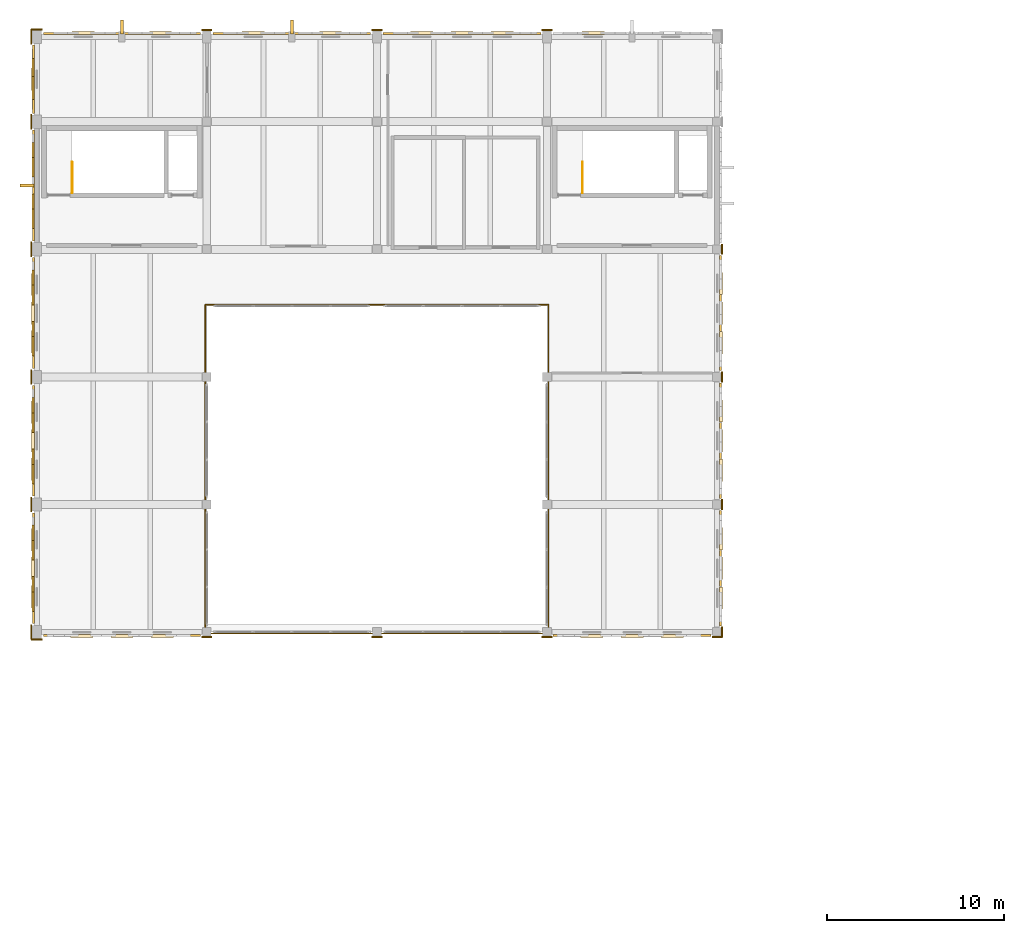
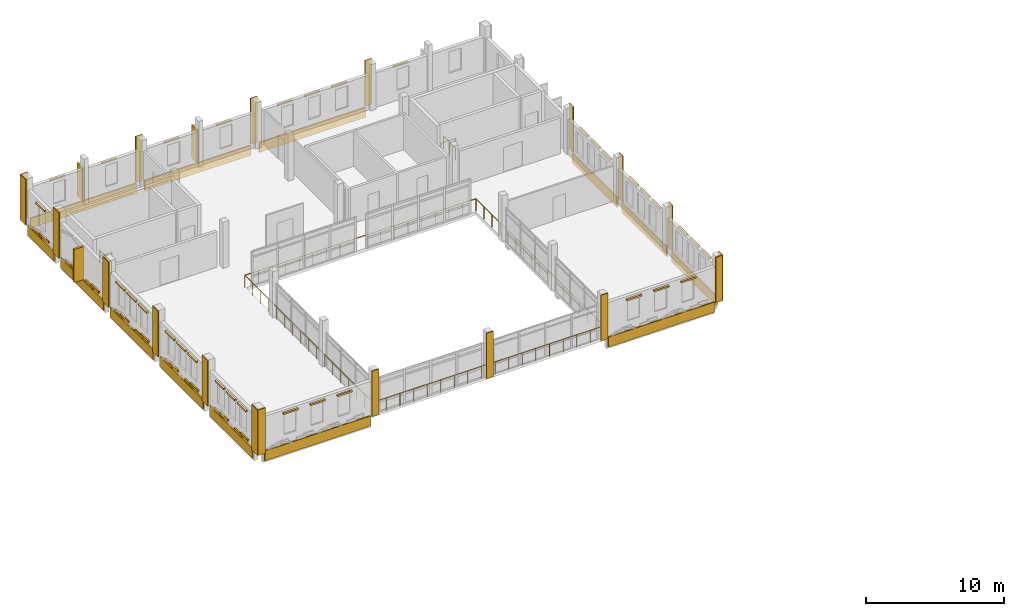
# One storey, part 21 of 24: 86 coverings, 4 railings.
"""IFC4 building model written with IfcOpenShell, lengths in metres."""

from ifc_helpers import new_model, si_unit, direction, frame, origin, origin_2d, place, context, subcontext, project, spatial, rectangle, circle, extrude, material, layer, layer_set, type_object, element, save


model = new_model("IFC4")

# Units and contexts
model_context = context("Model", 3, precision=1e-05, world=origin(), true_north=direction((0.0, 1.0)))
body_context = subcontext(model_context, "Body", "Model", "MODEL_VIEW")
ifc_project = project(units=[si_unit("LENGTHUNIT", "METRE"), si_unit("AREAUNIT", "SQUARE_METRE"), si_unit("VOLUMEUNIT", "CUBIC_METRE"), si_unit("PLANEANGLEUNIT", "RADIAN"), si_unit("MASSUNIT", "GRAM", prefix="KILO")], contexts=[model_context])

# Site, building, storey
site_placement = place(None, origin())
site = spatial("IfcSite", under=ifc_project, at=site_placement, CompositionType="ELEMENT")
building_placement = place(site_placement, origin())
building = spatial("IfcBuilding", under=site, at=building_placement, Name="Asteropetra Specialist Clinic", CompositionType="ELEMENT")
storey_placement = place(building_placement, frame((0.0, 0.0, 20.739990234375)))
storey = spatial("IfcBuildingStorey", under=building, at=storey_placement, Name="L05", CompositionType="ELEMENT", Elevation=20.739990234375)

# Coverings
ifc_material_1 = material(Name="Chevron ivory")
ifc_layer_1 = layer(ifc_material_1, 0.1201171875)
ifc_layer_set_1 = layer_set([ifc_layer_1], Name="Chevron ivory")
covering_type_1 = type_object("IfcCoveringType", Name="CLD-TER-IVORY", PredefinedType="CLADDING", material=ifc_layer_set_1)
for number, where, z_axis, x_axis, name in (
    (1, (4.8125, 76.614990234375, -0.800048828125), (0.0, 0.0, 1.0), (1.0, 0.0, 0.0), "Chevron Spandrel Band CV-1701"),
    (2, (4.8125, 110.5849609375, -0.800048828125), (0.0, 0.0, 1.0), (1.0, 0.0, 0.0), "Chevron Spandrel Band CV-1712"),
):
    element("IfcCovering", number, at=place(storey_placement, frame(where, z_axis=z_axis, x_axis=x_axis)), inside=storey, type_object=covering_type_1, Name=name, PredefinedType="CLADDING", context=body_context, shape_type="SweptSolid", body=[
        extrude(rectangle(XDim=8.875, YDim=0.1201171875, at=origin_2d()), origin(), (0.0, 0.0, 1.0), 0.8798828125),
    ])
for number, where, z_axis, x_axis, name in (
    (3, (14.39990234375, 110.5849609375, -0.800048828125), (0.0, 0.0, 1.0), (1.0, 0.0, 0.0), "Chevron Spandrel Band CV-1723"),
    (4, (24.0, 110.5849609375, -0.800048828125), (0.0, 0.0, 1.0), (1.0, 0.0, 0.0), "Chevron Spandrel Band CV-1735"),
    (5, (33.60009765625, 76.614990234375, -0.800048828125), (0.0, 0.0, 1.0), (1.0, 0.0, 0.0), "Chevron Spandrel Band CV-1747"),
):
    element("IfcCovering", number, at=place(storey_placement, frame(where, z_axis=z_axis, x_axis=x_axis)), inside=storey, type_object=covering_type_1, Name=name, PredefinedType="CLADDING", context=body_context, shape_type="SweptSolid", body=[
        extrude(rectangle(XDim=8.89990234375, YDim=0.1201171875, at=origin_2d()), origin(), (0.0, 0.0, 1.0), 0.8798828125),
    ])
covering_1_placement = place(storey_placement, frame((-0.18505859375, 80.39990234375, -0.800048828125), z_axis=(0.0, 0.0, 1.0), x_axis=(1.0, 0.0, 0.0)))
element("IfcCovering", 6, at=covering_1_placement, inside=storey, type_object=covering_type_1, Name="Chevron Spandrel Band CV-1770", PredefinedType="CLADDING", context=body_context, shape_type="SweptSolid", body=[
    extrude(rectangle(XDim=0.1201171875, YDim=6.25, at=origin_2d()), origin(), (0.0, 0.0, 1.0), 0.8798828125),
])
for number, where, z_axis, x_axis, name in (
    (7, (-0.199951171875, 82.2822265625, 0.1201171875), (0.0, 0.0, 1.0), (1.0, 0.0, 0.0), "Chevron Ceramic Band CV-1771"),
    (8, (-0.199951171875, 81.422607421875, 0.26025390625), (0.0, 0.0, 1.0), (1.0, 0.0, 0.0), "Chevron Ceramic Band CV-1772"),
    (9, (-0.199951171875, 79.377197265625, 0.1201171875), (0.0, 0.0, 1.0), (1.0, 0.0, 0.0), "Chevron Ceramic Band CV-1773"),
    (10, (-0.199951171875, 78.517578125, 0.26025390625), (0.0, 0.0, 1.0), (1.0, 0.0, 0.0), "Chevron Ceramic Band CV-1774"),
):
    element("IfcCovering", number, at=place(storey_placement, frame(where, z_axis=z_axis, x_axis=x_axis)), inside=storey, type_object=covering_type_1, Name=name, PredefinedType="CLADDING", context=body_context, shape_type="SweptSolid", body=[
        extrude(rectangle(XDim=0.1201171875, YDim=1.10400390625, at=origin_2d()), origin(), (0.0, 0.0, 1.0), 0.199951171875),
    ])
covering_2_placement = place(storey_placement, frame((38.5849609375, 80.39990234375, -0.800048828125), z_axis=(0.0, 0.0, 1.0), x_axis=(1.0, 0.0, 0.0)))
element("IfcCovering", 11, at=covering_2_placement, inside=storey, type_object=covering_type_1, Name="Chevron Spandrel Band CV-1778", PredefinedType="CLADDING", context=body_context, shape_type="SweptSolid", body=[
    extrude(rectangle(XDim=0.1201171875, YDim=6.5, at=origin_2d()), origin(), (0.0, 0.0, 1.0), 0.8798828125),
])
covering_3_placement = place(storey_placement, frame((-0.18505859375, 87.60009765625, -0.800048828125), z_axis=(0.0, 0.0, 1.0), x_axis=(1.0, 0.0, 0.0)))
element("IfcCovering", 12, at=covering_3_placement, inside=storey, type_object=covering_type_1, Name="Chevron Spandrel Band CV-1788", PredefinedType="CLADDING", context=body_context, shape_type="SweptSolid", body=[
    extrude(rectangle(XDim=0.1201171875, YDim=6.25, at=origin_2d()), origin(), (0.0, 0.0, 1.0), 0.8798828125),
])
for number, where, z_axis, x_axis, name in (
    (13, (-0.199951171875, 89.482421875, 0.1201171875), (0.0, 0.0, 1.0), (1.0, 0.0, 0.0), "Chevron Ceramic Band CV-1789"),
    (14, (-0.199951171875, 88.622802734375, 0.26025390625), (0.0, 0.0, 1.0), (1.0, 0.0, 0.0), "Chevron Ceramic Band CV-1790"),
    (15, (-0.199951171875, 86.577392578125, 0.1201171875), (0.0, 0.0, 1.0), (1.0, 0.0, 0.0), "Chevron Ceramic Band CV-1791"),
    (16, (-0.199951171875, 85.7177734375, 0.26025390625), (0.0, 0.0, 1.0), (1.0, 0.0, 0.0), "Chevron Ceramic Band CV-1792"),
):
    element("IfcCovering", number, at=place(storey_placement, frame(where, z_axis=z_axis, x_axis=x_axis)), inside=storey, type_object=covering_type_1, Name=name, PredefinedType="CLADDING", context=body_context, shape_type="SweptSolid", body=[
        extrude(rectangle(XDim=0.1201171875, YDim=1.10400390625, at=origin_2d()), origin(), (0.0, 0.0, 1.0), 0.199951171875),
    ])
covering_4_placement = place(storey_placement, frame((38.5849609375, 87.60009765625, -0.800048828125), z_axis=(0.0, 0.0, 1.0), x_axis=(1.0, 0.0, 0.0)))
element("IfcCovering", 17, at=covering_4_placement, inside=storey, type_object=covering_type_1, Name="Chevron Spandrel Band CV-1796", PredefinedType="CLADDING", context=body_context, shape_type="SweptSolid", body=[
    extrude(rectangle(XDim=0.1201171875, YDim=6.5, at=origin_2d()), origin(), (0.0, 0.0, 1.0), 0.8798828125),
])
covering_5_placement = place(storey_placement, frame((-0.18505859375, 94.800048828125, -0.800048828125), z_axis=(0.0, 0.0, 1.0), x_axis=(1.0, 0.0, 0.0)))
element("IfcCovering", 18, at=covering_5_placement, inside=storey, type_object=covering_type_1, Name="Chevron Spandrel Band CV-1806", PredefinedType="CLADDING", context=body_context, shape_type="SweptSolid", body=[
    extrude(rectangle(XDim=0.1201171875, YDim=6.25, at=origin_2d()), origin(), (0.0, 0.0, 1.0), 0.8798828125),
])
for number, where, z_axis, x_axis, name in (
    (19, (-0.199951171875, 96.682373046875, 0.1201171875), (0.0, 0.0, 1.0), (1.0, 0.0, 0.0), "Chevron Ceramic Band CV-1807"),
    (20, (-0.199951171875, 95.82275390625, 0.26025390625), (0.0, 0.0, 1.0), (1.0, 0.0, 0.0), "Chevron Ceramic Band CV-1808"),
    (21, (-0.199951171875, 93.77734375, 0.1201171875), (0.0, 0.0, 1.0), (1.0, 0.0, 0.0), "Chevron Ceramic Band CV-1809"),
    (22, (-0.199951171875, 92.917724609375, 0.26025390625), (0.0, 0.0, 1.0), (1.0, 0.0, 0.0), "Chevron Ceramic Band CV-1810"),
):
    element("IfcCovering", number, at=place(storey_placement, frame(where, z_axis=z_axis, x_axis=x_axis)), inside=storey, type_object=covering_type_1, Name=name, PredefinedType="CLADDING", context=body_context, shape_type="SweptSolid", body=[
        extrude(rectangle(XDim=0.1201171875, YDim=1.10400390625, at=origin_2d()), origin(), (0.0, 0.0, 1.0), 0.199951171875),
    ])
covering_6_placement = place(storey_placement, frame((38.5849609375, 94.800048828125, -0.800048828125), z_axis=(0.0, 0.0, 1.0), x_axis=(1.0, 0.0, 0.0)))
element("IfcCovering", 23, at=covering_6_placement, inside=storey, type_object=covering_type_1, Name="Chevron Spandrel Band CV-1814", PredefinedType="CLADDING", context=body_context, shape_type="SweptSolid", body=[
    extrude(rectangle(XDim=0.1201171875, YDim=6.5, at=origin_2d()), origin(), (0.0, 0.0, 1.0), 0.8798828125),
])
covering_7_placement = place(storey_placement, frame((-0.18505859375, 102.0, -0.800048828125), z_axis=(0.0, 0.0, 1.0), x_axis=(1.0, 0.0, 0.0)))
element("IfcCovering", 24, at=covering_7_placement, inside=storey, type_object=covering_type_1, Name="Chevron Spandrel Band CV-1821", PredefinedType="CLADDING", context=body_context, shape_type="SweptSolid", body=[
    extrude(rectangle(XDim=0.1201171875, YDim=6.25, at=origin_2d()), origin(), (0.0, 0.0, 1.0), 0.8798828125),
])
for number, where, z_axis, x_axis, name in (
    (25, (-0.199951171875, 103.882080078125, 0.1201171875), (0.0, 0.0, 1.0), (1.0, 0.0, 0.0), "Chevron Ceramic Band CV-1822"),
    (26, (-0.199951171875, 103.022705078125, 0.26025390625), (0.0, 0.0, 1.0), (1.0, 0.0, 0.0), "Chevron Ceramic Band CV-1823"),
    (27, (-0.199951171875, 100.977294921875, 0.1201171875), (0.0, 0.0, 1.0), (1.0, 0.0, 0.0), "Chevron Ceramic Band CV-1824"),
    (28, (-0.199951171875, 100.117919921875, 0.26025390625), (0.0, 0.0, 1.0), (1.0, 0.0, 0.0), "Chevron Ceramic Band CV-1825"),
):
    element("IfcCovering", number, at=place(storey_placement, frame(where, z_axis=z_axis, x_axis=x_axis)), inside=storey, type_object=covering_type_1, Name=name, PredefinedType="CLADDING", context=body_context, shape_type="SweptSolid", body=[
        extrude(rectangle(XDim=0.1201171875, YDim=1.10400390625, at=origin_2d()), origin(), (0.0, 0.0, 1.0), 0.199951171875),
    ])
covering_8_placement = place(storey_placement, frame((-0.18505859375, 108.0, -0.800048828125), z_axis=(0.0, 0.0, 1.0), x_axis=(1.0, 0.0, 0.0)))
element("IfcCovering", 29, at=covering_8_placement, inside=storey, type_object=covering_type_1, Name="Chevron Spandrel Band CV-1834", PredefinedType="CLADDING", context=body_context, shape_type="SweptSolid", body=[
    extrude(rectangle(XDim=0.1201171875, YDim=3.85009765625, at=origin_2d()), origin(), (0.0, 0.0, 1.0), 0.8798828125),
])
for number, where, z_axis, x_axis, name in (
    (30, (-0.199951171875, 108.505615234375, 0.1201171875), (0.0, 0.0, 1.0), (1.0, 0.0, 0.0), "Chevron Ceramic Band CV-1835"),
    (31, (-0.199951171875, 107.494384765625, 0.26025390625), (0.0, 0.0, 1.0), (1.0, 0.0, 0.0), "Chevron Ceramic Band CV-1836"),
):
    element("IfcCovering", number, at=place(storey_placement, frame(where, z_axis=z_axis, x_axis=x_axis)), inside=storey, type_object=covering_type_1, Name=name, PredefinedType="CLADDING", context=body_context, shape_type="SweptSolid", body=[
        extrude(rectangle(XDim=0.1201171875, YDim=1.2958984375, at=origin_2d()), origin(), (0.0, 0.0, 1.0), 0.199951171875),
    ])
ifc_material_2 = material(Name="Pentelic marble ashlar", Category="masonry")
ifc_layer_2 = layer(ifc_material_2, 0.159912109375)
ifc_layer_set_2 = layer_set([ifc_layer_2], Name="Pentelic marble ashlar")
covering_type_2 = type_object("IfcCoveringType", Name="CRN-ENTAB-600", PredefinedType="MOLDING", material=ifc_layer_set_2)
covering_9_placement = place(storey_placement, frame((0.0, 76.39306640625, 0.02001953125), z_axis=(0.0, 0.0, 1.0), x_axis=(1.0, 0.0, 0.0)))
element("IfcCovering", 32, at=covering_9_placement, inside=storey, type_object=covering_type_2, Name="Neoclassical Pilaster Facing CM-0723", PredefinedType="MOLDING", context=body_context, shape_type="SweptSolid", body=[
    extrude(rectangle(XDim=0.6298828125, YDim=0.080078125, at=origin_2d()), origin(), (0.0, 0.0, 1.0), 4.0400390625),
])
for number, where, z_axis, x_axis, name in (
    (33, (-0.306884765625, 76.800048828125, 0.02001953125), (0.0, 0.0, 1.0), (1.0, 0.0, 0.0), "Neoclassical Pilaster Facing CM-0724"),
    (34, (-0.306884765625, 84.0, 0.02001953125), (0.0, 0.0, 1.0), (1.0, 0.0, 0.0), "Neoclassical Pilaster Facing CM-0725"),
    (35, (-0.306884765625, 91.199951171875, 0.02001953125), (0.0, 0.0, 1.0), (1.0, 0.0, 0.0), "Neoclassical Pilaster Facing CM-0726"),
    (36, (-0.306884765625, 98.39990234375, 0.02001953125), (0.0, 0.0, 1.0), (1.0, 0.0, 0.0), "Neoclassical Pilaster Facing CM-0727"),
    (37, (-0.306884765625, 105.60009765625, 0.02001953125), (0.0, 0.0, 1.0), (1.0, 0.0, 0.0), "Neoclassical Pilaster Facing CM-0728"),
):
    element("IfcCovering", number, at=place(storey_placement, frame(where, z_axis=z_axis, x_axis=x_axis)), inside=storey, type_object=covering_type_2, Name=name, PredefinedType="MOLDING", context=body_context, shape_type="SweptSolid", body=[
        extrude(rectangle(XDim=0.080078125, YDim=0.830078125, at=origin_2d()), origin(), (0.0, 0.0, 1.0), 4.0400390625),
    ])
covering_10_placement = place(storey_placement, frame((0.0, 110.806884765625, 0.02001953125), z_axis=(0.0, 0.0, 1.0), x_axis=(1.0, 0.0, 0.0)))
element("IfcCovering", 38, at=covering_10_placement, inside=storey, type_object=covering_type_2, Name="Neoclassical Pilaster Facing CM-0729", PredefinedType="MOLDING", context=body_context, shape_type="SweptSolid", body=[
    extrude(rectangle(XDim=0.6298828125, YDim=0.080078125, at=origin_2d()), origin(), (0.0, 0.0, 1.0), 4.0400390625),
])
covering_11_placement = place(storey_placement, frame((-0.306884765625, 110.39990234375, 0.02001953125), z_axis=(0.0, 0.0, 1.0), x_axis=(1.0, 0.0, 0.0)))
element("IfcCovering", 39, at=covering_11_placement, inside=storey, type_object=covering_type_2, Name="Neoclassical Pilaster Facing CM-0730", PredefinedType="MOLDING", context=body_context, shape_type="SweptSolid", body=[
    extrude(rectangle(XDim=0.080078125, YDim=0.830078125, at=origin_2d()), origin(), (0.0, 0.0, 1.0), 4.0400390625),
])
for number, where, z_axis, x_axis, name in (
    (40, (9.60009765625, 76.51806640625, 0.02001953125), (0.0, 0.0, 1.0), (1.0, 0.0, 0.0), "Neoclassical Pilaster Facing CM-0731"),
    (41, (9.60009765625, 110.781982421875, 0.02001953125), (0.0, 0.0, 1.0), (1.0, 0.0, 0.0), "Neoclassical Pilaster Facing CM-0732"),
    (42, (19.199951171875, 76.51806640625, 0.02001953125), (0.0, 0.0, 1.0), (1.0, 0.0, 0.0), "Neoclassical Pilaster Facing CM-0733"),
    (43, (19.199951171875, 110.781982421875, 0.02001953125), (0.0, 0.0, 1.0), (1.0, 0.0, 0.0), "Neoclassical Pilaster Facing CM-0734"),
    (44, (28.800048828125, 76.51806640625, 0.02001953125), (0.0, 0.0, 1.0), (1.0, 0.0, 0.0), "Neoclassical Pilaster Facing CM-0735"),
    (45, (28.800048828125, 110.781982421875, 0.02001953125), (0.0, 0.0, 1.0), (1.0, 0.0, 0.0), "Neoclassical Pilaster Facing CM-0736"),
    (46, (38.39990234375, 76.51806640625, 0.02001953125), (0.0, 0.0, 1.0), (1.0, 0.0, 0.0), "Neoclassical Pilaster Facing CM-0737"),
):
    element("IfcCovering", number, at=place(storey_placement, frame(where, z_axis=z_axis, x_axis=x_axis)), inside=storey, type_object=covering_type_2, Name=name, PredefinedType="MOLDING", context=body_context, shape_type="SweptSolid", body=[
        extrude(rectangle(XDim=0.580078125, YDim=0.080078125, at=origin_2d()), origin(), (0.0, 0.0, 1.0), 4.0400390625),
    ])
for number, where, z_axis, x_axis, name in (
    (47, (38.681884765625, 76.800048828125, 0.02001953125), (0.0, 0.0, 1.0), (1.0, 0.0, 0.0), "Neoclassical Pilaster Facing CM-0738"),
    (48, (38.681884765625, 84.0, 0.02001953125), (0.0, 0.0, 1.0), (1.0, 0.0, 0.0), "Neoclassical Pilaster Facing CM-0739"),
    (49, (38.681884765625, 91.199951171875, 0.02001953125), (0.0, 0.0, 1.0), (1.0, 0.0, 0.0), "Neoclassical Pilaster Facing CM-0740"),
    (50, (38.681884765625, 98.39990234375, 0.02001953125), (0.0, 0.0, 1.0), (1.0, 0.0, 0.0), "Neoclassical Pilaster Facing CM-0741"),
):
    element("IfcCovering", number, at=place(storey_placement, frame(where, z_axis=z_axis, x_axis=x_axis)), inside=storey, type_object=covering_type_2, Name=name, PredefinedType="MOLDING", context=body_context, shape_type="SweptSolid", body=[
        extrude(rectangle(XDim=0.080078125, YDim=0.580078125, at=origin_2d()), origin(), (0.0, 0.0, 1.0), 4.0400390625),
    ])
for number, where, z_axis, x_axis, name in (
    (51, (2.543701171875, 76.5849609375, 2.77001953125), (0.0, 0.0, 1.0), (1.0, 0.0, 0.0), "Classical Window Hood WH-1698"),
    (52, (4.8125, 76.5849609375, 2.77001953125), (0.0, 0.0, 1.0), (1.0, 0.0, 0.0), "Classical Window Hood WH-1699"),
    (53, (7.081298828125, 76.5849609375, 2.77001953125), (0.0, 0.0, 1.0), (1.0, 0.0, 0.0), "Classical Window Hood WH-1700"),
    (54, (6.990478515625, 110.614990234375, 2.77001953125), (0.0, 0.0, 1.0), (1.0, 0.0, 0.0), "Classical Window Hood WH-1710"),
    (55, (2.634521484375, 110.614990234375, 2.77001953125), (0.0, 0.0, 1.0), (1.0, 0.0, 0.0), "Classical Window Hood WH-1711"),
    (56, (16.583984375, 110.614990234375, 2.77001953125), (0.0, 0.0, 1.0), (1.0, 0.0, 0.0), "Classical Window Hood WH-1721"),
    (57, (12.216064453125, 110.614990234375, 2.77001953125), (0.0, 0.0, 1.0), (1.0, 0.0, 0.0), "Classical Window Hood WH-1722"),
    (58, (26.27490234375, 110.614990234375, 2.77001953125), (0.0, 0.0, 1.0), (1.0, 0.0, 0.0), "Classical Window Hood WH-1732"),
    (59, (24.0, 110.614990234375, 2.77001953125), (0.0, 0.0, 1.0), (1.0, 0.0, 0.0), "Classical Window Hood WH-1733"),
    (60, (21.72509765625, 110.614990234375, 2.77001953125), (0.0, 0.0, 1.0), (1.0, 0.0, 0.0), "Classical Window Hood WH-1734"),
    (61, (31.324951171875, 76.5849609375, 2.77001953125), (0.0, 0.0, 1.0), (1.0, 0.0, 0.0), "Classical Window Hood WH-1744"),
    (62, (33.60009765625, 76.5849609375, 2.77001953125), (0.0, 0.0, 1.0), (1.0, 0.0, 0.0), "Classical Window Hood WH-1745"),
    (63, (35.875, 76.5849609375, 2.77001953125), (0.0, 0.0, 1.0), (1.0, 0.0, 0.0), "Classical Window Hood WH-1746"),
    (64, (31.416015625, 110.614990234375, 2.77001953125), (0.0, 0.0, 1.0), (1.0, 0.0, 0.0), "Classical Window Hood WH-1757"),
):
    element("IfcCovering", number, at=place(storey_placement, frame(where, z_axis=z_axis, x_axis=x_axis)), inside=storey, type_object=covering_type_2, Name=name, PredefinedType="MOLDING", context=body_context, shape_type="SweptSolid", body=[
        extrude(rectangle(XDim=1.260009765625, YDim=0.159912109375, at=origin_2d()), origin(), (0.0, 0.0, 1.0), 0.139892578125),
    ])
for number, where, z_axis, x_axis, name in (
    (65, (-0.215087890625, 82.012451171875, 2.77001953125), (0.0, 0.0, 1.0), (1.0, 0.0, 0.0), "Classical Window Hood WH-1767"),
    (66, (-0.215087890625, 80.39990234375, 2.77001953125), (0.0, 0.0, 1.0), (1.0, 0.0, 0.0), "Classical Window Hood WH-1768"),
    (67, (-0.215087890625, 78.78759765625, 2.77001953125), (0.0, 0.0, 1.0), (1.0, 0.0, 0.0), "Classical Window Hood WH-1769"),
    (68, (38.614990234375, 78.72509765625, 2.77001953125), (0.0, 0.0, 1.0), (1.0, 0.0, 0.0), "Classical Window Hood WH-1775"),
    (69, (38.614990234375, 80.39990234375, 2.77001953125), (0.0, 0.0, 1.0), (1.0, 0.0, 0.0), "Classical Window Hood WH-1776"),
    (70, (38.614990234375, 82.074951171875, 2.77001953125), (0.0, 0.0, 1.0), (1.0, 0.0, 0.0), "Classical Window Hood WH-1777"),
    (71, (-0.215087890625, 89.21240234375, 2.77001953125), (0.0, 0.0, 1.0), (1.0, 0.0, 0.0), "Classical Window Hood WH-1785"),
    (72, (-0.215087890625, 87.60009765625, 2.77001953125), (0.0, 0.0, 1.0), (1.0, 0.0, 0.0), "Classical Window Hood WH-1786"),
    (73, (-0.215087890625, 85.987548828125, 2.77001953125), (0.0, 0.0, 1.0), (1.0, 0.0, 0.0), "Classical Window Hood WH-1787"),
    (74, (38.614990234375, 85.925048828125, 2.77001953125), (0.0, 0.0, 1.0), (1.0, 0.0, 0.0), "Classical Window Hood WH-1793"),
    (75, (38.614990234375, 87.60009765625, 2.77001953125), (0.0, 0.0, 1.0), (1.0, 0.0, 0.0), "Classical Window Hood WH-1794"),
    (76, (38.614990234375, 89.27490234375, 2.77001953125), (0.0, 0.0, 1.0), (1.0, 0.0, 0.0), "Classical Window Hood WH-1795"),
    (77, (-0.215087890625, 96.41259765625, 2.77001953125), (0.0, 0.0, 1.0), (1.0, 0.0, 0.0), "Classical Window Hood WH-1803"),
    (78, (-0.215087890625, 94.800048828125, 2.77001953125), (0.0, 0.0, 1.0), (1.0, 0.0, 0.0), "Classical Window Hood WH-1804"),
    (79, (-0.215087890625, 93.1875, 2.77001953125), (0.0, 0.0, 1.0), (1.0, 0.0, 0.0), "Classical Window Hood WH-1805"),
    (80, (38.614990234375, 93.125, 2.77001953125), (0.0, 0.0, 1.0), (1.0, 0.0, 0.0), "Classical Window Hood WH-1811"),
    (81, (38.614990234375, 94.800048828125, 2.77001953125), (0.0, 0.0, 1.0), (1.0, 0.0, 0.0), "Classical Window Hood WH-1812"),
    (82, (38.614990234375, 96.47509765625, 2.77001953125), (0.0, 0.0, 1.0), (1.0, 0.0, 0.0), "Classical Window Hood WH-1813"),
    (83, (-0.215087890625, 108.0, 2.77001953125), (0.0, 0.0, 1.0), (1.0, 0.0, 0.0), "Classical Window Hood WH-1833"),
):
    element("IfcCovering", number, at=place(storey_placement, frame(where, z_axis=z_axis, x_axis=x_axis)), inside=storey, type_object=covering_type_2, Name=name, PredefinedType="MOLDING", context=body_context, shape_type="SweptSolid", body=[
        extrude(rectangle(XDim=0.159912109375, YDim=1.260009765625, at=origin_2d()), origin(), (0.0, 0.0, 1.0), 0.139892578125),
    ])
ifc_material_3 = material(Name="Pentelic marble solar fin", Category="masonry")
ifc_layer_3 = layer(ifc_material_3, 0.080078125)
ifc_layer_set_3 = layer_set([ifc_layer_3], Name="Pentelic marble solar fin")
covering_type_3 = type_object("IfcCoveringType", Name="FIN-SOLAR-800", PredefinedType="MOLDING", material=ifc_layer_set_3)
for number, where, z_axis, x_axis, name in (
    (84, (4.8125, 110.93994140625, 0.06982421875), (0.0, 0.0, 1.0), (1.0, 0.0, 0.0), "Solar Shading Fin FN-0118"),
    (85, (14.39990234375, 110.93994140625, 0.06982421875), (0.0, 0.0, 1.0), (1.0, 0.0, 0.0), "Solar Shading Fin FN-0119"),
):
    element("IfcCovering", number, at=place(storey_placement, frame(where, z_axis=z_axis, x_axis=x_axis)), inside=storey, type_object=covering_type_3, Name=name, PredefinedType="MOLDING", context=body_context, shape_type="SweptSolid", body=[
        extrude(rectangle(XDim=0.159912109375, YDim=0.800048828125, at=origin_2d()), origin(), (0.0, 0.0, 1.0), 2.929931640625),
    ])
covering_12_placement = place(storey_placement, frame((-0.5400390625, 102.0, 0.06982421875), z_axis=(0.0, 0.0, 1.0), x_axis=(1.0, 0.0, 0.0)))
element("IfcCovering", 86, at=covering_12_placement, inside=storey, type_object=covering_type_3, Name="Solar Shading Fin FN-0121", PredefinedType="MOLDING", context=body_context, shape_type="SweptSolid", body=[
    extrude(rectangle(XDim=0.800048828125, YDim=0.159912109375, at=origin_2d()), origin(), (0.0, 0.0, 1.0), 2.929931640625),
])

# Railings
ifc_material_4 = material(Name="Powder-coated Steel S355 guardrail", Category="steel")
railing_type_1 = type_object("IfcRailingType", Name="GRD-EXT-1120", PredefinedType="GUARDRAIL", material=ifc_material_4)
railing_1_placement = place(storey_placement, frame((9.52001953125, 76.719970703125, 0.0)))
element("IfcRailing", 87, at=railing_1_placement, inside=storey, type_object=railing_type_1, Name="Perimeter Guard GRD-CT-L05-06A", PredefinedType="GUARDRAIL", context=body_context, shape_type="SweptSolid", body=[
    extrude(circle(Radius=0.02392578125, at=origin_2d()), frame((0.0, 0.0, 1.09619140625), z_axis=(1.0, 0.0, 0.0), x_axis=(0.0, 1.0, 0.0)), (0.0, 0.0, 1.0), 19.35986328125),
    extrude(circle(Radius=0.02392578125, at=origin_2d()), frame((19.35986328125, 0.0, 1.09619140625), z_axis=(0.0, 1.0, 0.0), x_axis=(-1.0, 0.0, 0.0)), (0.0, 0.0, 1.0), 18.56005859375),
    extrude(circle(Radius=0.02099609375, at=origin_2d()), origin(), (0.0, 0.0, 1.0), 1.072021484375),
    extrude(circle(Radius=0.02099609375, at=origin_2d()), frame((1.138916015625, 0.0, 0.0)), (0.0, 0.0, 1.0), 1.072021484375),
    extrude(circle(Radius=0.02099609375, at=origin_2d()), frame((2.277587890625, 0.0, 0.0)), (0.0, 0.0, 1.0), 1.072021484375),
    extrude(circle(Radius=0.02099609375, at=origin_2d()), frame((3.41650390625, 0.0, 0.0)), (0.0, 0.0, 1.0), 1.072021484375),
    extrude(circle(Radius=0.02099609375, at=origin_2d()), frame((4.55517578125, 0.0, 0.0)), (0.0, 0.0, 1.0), 1.072021484375),
    extrude(circle(Radius=0.02099609375, at=origin_2d()), frame((5.694091796875, 0.0, 0.0)), (0.0, 0.0, 1.0), 1.072021484375),
    extrude(circle(Radius=0.02099609375, at=origin_2d()), frame((6.8330078125, 0.0, 0.0)), (0.0, 0.0, 1.0), 1.072021484375),
    extrude(circle(Radius=0.02099609375, at=origin_2d()), frame((7.9716796875, 0.0, 0.0)), (0.0, 0.0, 1.0), 1.072021484375),
    extrude(circle(Radius=0.02099609375, at=origin_2d()), frame((9.110595703125, 0.0, 0.0)), (0.0, 0.0, 1.0), 1.072021484375),
    extrude(circle(Radius=0.02099609375, at=origin_2d()), frame((10.249267578125, 0.0, 0.0)), (0.0, 0.0, 1.0), 1.072021484375),
    extrude(circle(Radius=0.02099609375, at=origin_2d()), frame((11.38818359375, 0.0, 0.0)), (0.0, 0.0, 1.0), 1.072021484375),
    extrude(circle(Radius=0.02099609375, at=origin_2d()), frame((12.52685546875, 0.0, 0.0)), (0.0, 0.0, 1.0), 1.072021484375),
    extrude(circle(Radius=0.02099609375, at=origin_2d()), frame((13.665771484375, 0.0, 0.0)), (0.0, 0.0, 1.0), 1.072021484375),
    extrude(circle(Radius=0.02099609375, at=origin_2d()), frame((14.8046875, 0.0, 0.0)), (0.0, 0.0, 1.0), 1.072021484375),
    extrude(circle(Radius=0.02099609375, at=origin_2d()), frame((15.943359375, 0.0, 0.0)), (0.0, 0.0, 1.0), 1.072021484375),
    extrude(circle(Radius=0.02099609375, at=origin_2d()), frame((17.082275390625, 0.0, 0.0)), (0.0, 0.0, 1.0), 1.072021484375),
    extrude(circle(Radius=0.02099609375, at=origin_2d()), frame((18.220947265625, 0.0, 0.0)), (0.0, 0.0, 1.0), 1.072021484375),
    extrude(circle(Radius=0.02099609375, at=origin_2d()), frame((19.35986328125, 0.0, 0.0)), (0.0, 0.0, 1.0), 1.072021484375),
    extrude(circle(Radius=0.02099609375, at=origin_2d()), frame((19.35986328125, 1.159912109375, 0.0)), (0.0, 0.0, 1.0), 1.072021484375),
    extrude(circle(Radius=0.02099609375, at=origin_2d()), frame((19.35986328125, 2.320068359375, 0.0)), (0.0, 0.0, 1.0), 1.072021484375),
    extrude(circle(Radius=0.02099609375, at=origin_2d()), frame((19.35986328125, 3.47998046875, 0.0)), (0.0, 0.0, 1.0), 1.072021484375),
    extrude(circle(Radius=0.02099609375, at=origin_2d()), frame((19.35986328125, 4.64013671875, 0.0)), (0.0, 0.0, 1.0), 1.072021484375),
    extrude(circle(Radius=0.02099609375, at=origin_2d()), frame((19.35986328125, 5.800048828125, 0.0)), (0.0, 0.0, 1.0), 1.072021484375),
    extrude(circle(Radius=0.02099609375, at=origin_2d()), frame((19.35986328125, 6.9599609375, 0.0)), (0.0, 0.0, 1.0), 1.072021484375),
    extrude(circle(Radius=0.02099609375, at=origin_2d()), frame((19.35986328125, 8.1201171875, 0.0)), (0.0, 0.0, 1.0), 1.072021484375),
    extrude(circle(Radius=0.02099609375, at=origin_2d()), frame((19.35986328125, 9.280029296875, 0.0)), (0.0, 0.0, 1.0), 1.072021484375),
    extrude(circle(Radius=0.02099609375, at=origin_2d()), frame((19.35986328125, 10.43994140625, 0.0)), (0.0, 0.0, 1.0), 1.072021484375),
    extrude(circle(Radius=0.02099609375, at=origin_2d()), frame((19.35986328125, 11.60009765625, 0.0)), (0.0, 0.0, 1.0), 1.072021484375),
    extrude(circle(Radius=0.02099609375, at=origin_2d()), frame((19.35986328125, 12.760009765625, 0.0)), (0.0, 0.0, 1.0), 1.072021484375),
    extrude(circle(Radius=0.02099609375, at=origin_2d()), frame((19.35986328125, 13.919921875, 0.0)), (0.0, 0.0, 1.0), 1.072021484375),
    extrude(circle(Radius=0.02099609375, at=origin_2d()), frame((19.35986328125, 15.080078125, 0.0)), (0.0, 0.0, 1.0), 1.072021484375),
    extrude(circle(Radius=0.02099609375, at=origin_2d()), frame((19.35986328125, 16.239990234375, 0.0)), (0.0, 0.0, 1.0), 1.072021484375),
    extrude(circle(Radius=0.02099609375, at=origin_2d()), frame((19.35986328125, 17.400146484375, 0.0)), (0.0, 0.0, 1.0), 1.072021484375),
    extrude(circle(Radius=0.02099609375, at=origin_2d()), frame((19.35986328125, 18.56005859375, 0.0)), (0.0, 0.0, 1.0), 1.072021484375),
])
railing_2_placement = place(storey_placement, frame((28.8798828125, 95.280029296875, 0.0)))
element("IfcRailing", 88, at=railing_2_placement, inside=storey, type_object=railing_type_1, Name="Perimeter Guard GRD-CT-L05-06B", PredefinedType="GUARDRAIL", context=body_context, shape_type="SweptSolid", body=[
    extrude(circle(Radius=0.02392578125, at=origin_2d()), frame((0.0, 0.0, 1.09619140625), z_axis=(-1.0, 0.0, 0.0), x_axis=(0.0, -1.0, 0.0)), (0.0, 0.0, 1.0), 19.35986328125),
    extrude(circle(Radius=0.02392578125, at=origin_2d()), frame((-19.35986328125, 0.0, 1.09619140625), z_axis=(0.0, -1.0, 0.0), x_axis=(1.0, 0.0, 0.0)), (0.0, 0.0, 1.0), 18.56005859375),
    extrude(circle(Radius=0.02099609375, at=origin_2d()), origin(), (0.0, 0.0, 1.0), 1.072021484375),
    extrude(circle(Radius=0.02099609375, at=origin_2d()), frame((-1.138916015625, 0.0, 0.0)), (0.0, 0.0, 1.0), 1.072021484375),
    extrude(circle(Radius=0.02099609375, at=origin_2d()), frame((-2.277587890625, 0.0, 0.0)), (0.0, 0.0, 1.0), 1.072021484375),
    extrude(circle(Radius=0.02099609375, at=origin_2d()), frame((-3.41650390625, 0.0, 0.0)), (0.0, 0.0, 1.0), 1.072021484375),
    extrude(circle(Radius=0.02099609375, at=origin_2d()), frame((-4.55517578125, 0.0, 0.0)), (0.0, 0.0, 1.0), 1.072021484375),
    extrude(circle(Radius=0.02099609375, at=origin_2d()), frame((-5.694091796875, 0.0, 0.0)), (0.0, 0.0, 1.0), 1.072021484375),
    extrude(circle(Radius=0.02099609375, at=origin_2d()), frame((-6.8330078125, 0.0, 0.0)), (0.0, 0.0, 1.0), 1.072021484375),
    extrude(circle(Radius=0.02099609375, at=origin_2d()), frame((-7.9716796875, 0.0, 0.0)), (0.0, 0.0, 1.0), 1.072021484375),
    extrude(circle(Radius=0.02099609375, at=origin_2d()), frame((-9.110595703125, 0.0, 0.0)), (0.0, 0.0, 1.0), 1.072021484375),
    extrude(circle(Radius=0.02099609375, at=origin_2d()), frame((-10.249267578125, 0.0, 0.0)), (0.0, 0.0, 1.0), 1.072021484375),
    extrude(circle(Radius=0.02099609375, at=origin_2d()), frame((-11.38818359375, 0.0, 0.0)), (0.0, 0.0, 1.0), 1.072021484375),
    extrude(circle(Radius=0.02099609375, at=origin_2d()), frame((-12.52685546875, 0.0, 0.0)), (0.0, 0.0, 1.0), 1.072021484375),
    extrude(circle(Radius=0.02099609375, at=origin_2d()), frame((-13.665771484375, 0.0, 0.0)), (0.0, 0.0, 1.0), 1.072021484375),
    extrude(circle(Radius=0.02099609375, at=origin_2d()), frame((-14.8046875, 0.0, 0.0)), (0.0, 0.0, 1.0), 1.072021484375),
    extrude(circle(Radius=0.02099609375, at=origin_2d()), frame((-15.943359375, 0.0, 0.0)), (0.0, 0.0, 1.0), 1.072021484375),
    extrude(circle(Radius=0.02099609375, at=origin_2d()), frame((-17.082275390625, 0.0, 0.0)), (0.0, 0.0, 1.0), 1.072021484375),
    extrude(circle(Radius=0.02099609375, at=origin_2d()), frame((-18.220947265625, 0.0, 0.0)), (0.0, 0.0, 1.0), 1.072021484375),
    extrude(circle(Radius=0.02099609375, at=origin_2d()), frame((-19.35986328125, 0.0, 0.0)), (0.0, 0.0, 1.0), 1.072021484375),
    extrude(circle(Radius=0.02099609375, at=origin_2d()), frame((-19.35986328125, -1.159912109375, 0.0)), (0.0, 0.0, 1.0), 1.072021484375),
    extrude(circle(Radius=0.02099609375, at=origin_2d()), frame((-19.35986328125, -2.320068359375, 0.0)), (0.0, 0.0, 1.0), 1.072021484375),
    extrude(circle(Radius=0.02099609375, at=origin_2d()), frame((-19.35986328125, -3.47998046875, 0.0)), (0.0, 0.0, 1.0), 1.072021484375),
    extrude(circle(Radius=0.02099609375, at=origin_2d()), frame((-19.35986328125, -4.64013671875, 0.0)), (0.0, 0.0, 1.0), 1.072021484375),
    extrude(circle(Radius=0.02099609375, at=origin_2d()), frame((-19.35986328125, -5.800048828125, 0.0)), (0.0, 0.0, 1.0), 1.072021484375),
    extrude(circle(Radius=0.02099609375, at=origin_2d()), frame((-19.35986328125, -6.9599609375, 0.0)), (0.0, 0.0, 1.0), 1.072021484375),
    extrude(circle(Radius=0.02099609375, at=origin_2d()), frame((-19.35986328125, -8.1201171875, 0.0)), (0.0, 0.0, 1.0), 1.072021484375),
    extrude(circle(Radius=0.02099609375, at=origin_2d()), frame((-19.35986328125, -9.280029296875, 0.0)), (0.0, 0.0, 1.0), 1.072021484375),
    extrude(circle(Radius=0.02099609375, at=origin_2d()), frame((-19.35986328125, -10.43994140625, 0.0)), (0.0, 0.0, 1.0), 1.072021484375),
    extrude(circle(Radius=0.02099609375, at=origin_2d()), frame((-19.35986328125, -11.60009765625, 0.0)), (0.0, 0.0, 1.0), 1.072021484375),
    extrude(circle(Radius=0.02099609375, at=origin_2d()), frame((-19.35986328125, -12.760009765625, 0.0)), (0.0, 0.0, 1.0), 1.072021484375),
    extrude(circle(Radius=0.02099609375, at=origin_2d()), frame((-19.35986328125, -13.919921875, 0.0)), (0.0, 0.0, 1.0), 1.072021484375),
    extrude(circle(Radius=0.02099609375, at=origin_2d()), frame((-19.35986328125, -15.080078125, 0.0)), (0.0, 0.0, 1.0), 1.072021484375),
    extrude(circle(Radius=0.02099609375, at=origin_2d()), frame((-19.35986328125, -16.239990234375, 0.0)), (0.0, 0.0, 1.0), 1.072021484375),
    extrude(circle(Radius=0.02099609375, at=origin_2d()), frame((-19.35986328125, -17.400146484375, 0.0)), (0.0, 0.0, 1.0), 1.072021484375),
    extrude(circle(Radius=0.02099609375, at=origin_2d()), frame((-19.35986328125, -18.56005859375, 0.0)), (0.0, 0.0, 1.0), 1.072021484375),
])
ifc_material_5 = material(Name="Steel S355 and laminated glass guard", Category="steel")
railing_type_2 = type_object("IfcRailingType", Name="GRD-INT-1120", PredefinedType="GUARDRAIL", material=ifc_material_5)
for number, where, name in (
    (89, (2.0, 101.580078125, 0.0), "Stair Well Guard ST01-L04"),
    (90, (30.800048828125, 101.580078125, 0.0), "Stair Well Guard ST02-L04"),
):
    element("IfcRailing", number, at=place(storey_placement, frame(where)), inside=storey, type_object=railing_type_2, Name=name, PredefinedType="GUARDRAIL", context=body_context, shape_type="SweptSolid", body=[
        extrude(circle(Radius=0.02392578125, at=origin_2d()), frame((0.0, 0.0, 1.09619140625), z_axis=(0.0, 1.0, 0.0), x_axis=(-1.0, 0.0, 0.0)), (0.0, 0.0, 1.0), 1.72998046875),
        extrude(circle(Radius=0.02099609375, at=origin_2d()), origin(), (0.0, 0.0, 1.0), 1.072021484375),
        extrude(circle(Radius=0.02099609375, at=origin_2d()), frame((0.0, 0.864990234375, 0.0)), (0.0, 0.0, 1.0), 1.072021484375),
        extrude(circle(Radius=0.02099609375, at=origin_2d()), frame((0.0, 1.72998046875, 0.0)), (0.0, 0.0, 1.0), 1.072021484375),
    ])

save(model, "model.ifc")
